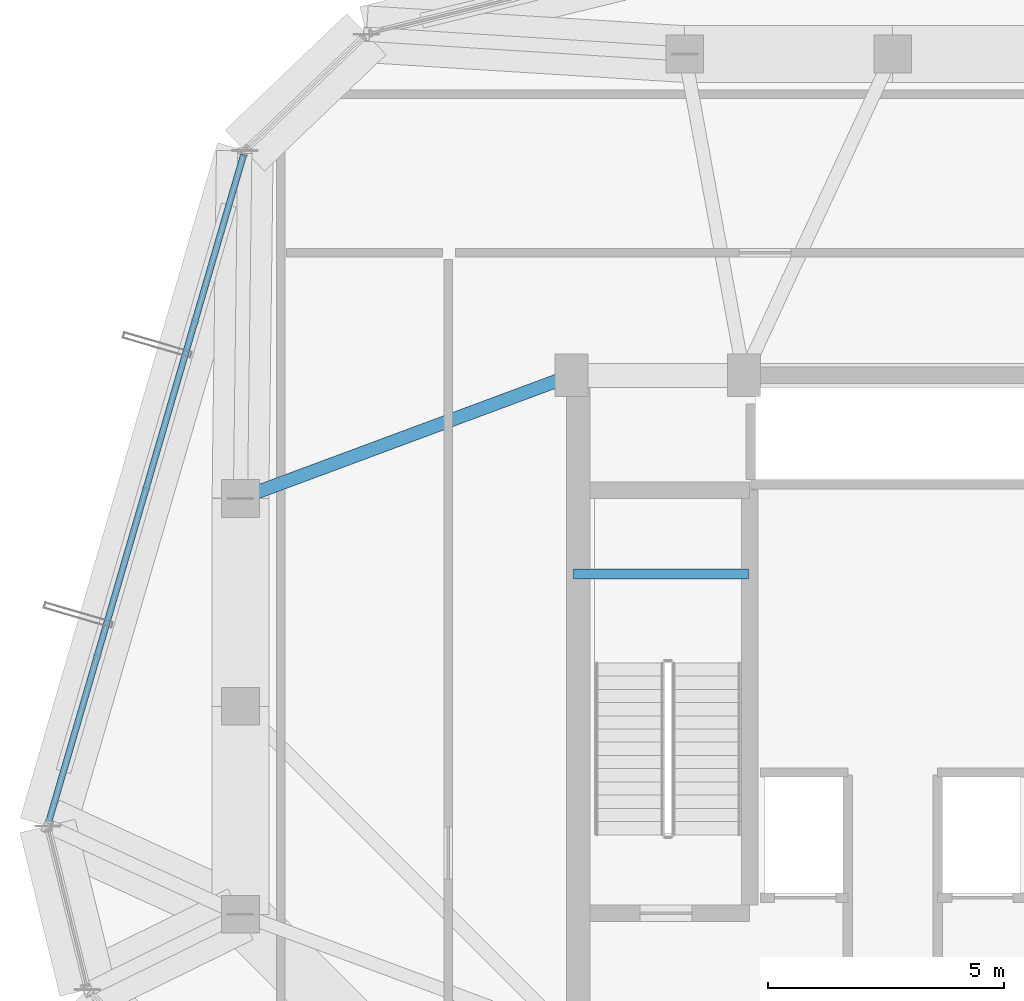
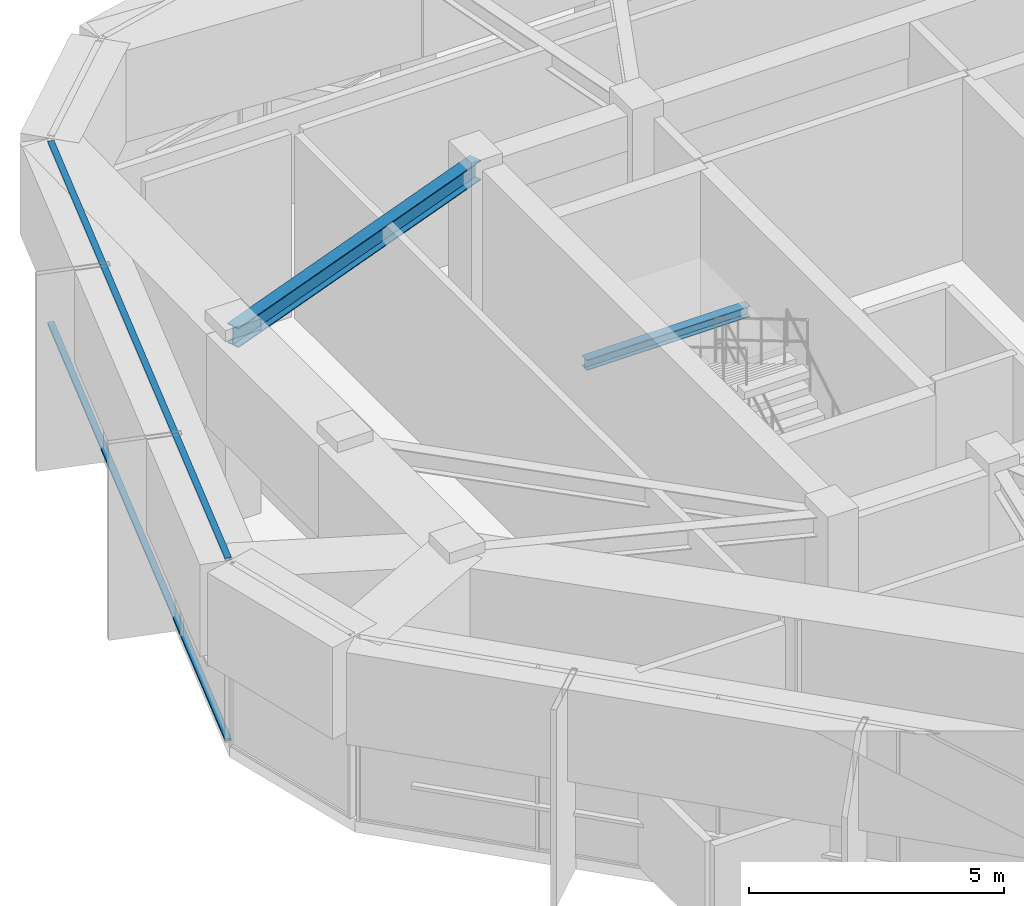
# One storey, part 17 of 39: 2 beams, 2 members, 1 element without a shape of its own.
"""IFC4 building model written with IfcOpenShell, lengths in metres."""

from ifc_helpers import new_model, si_unit, direction, frame, origin, origin_2d, place, context, subcontext, project, spatial, hollow_rectangle, i_section, extrude, source, transform, mapped, material, layer, layer_set, material_profile, profile_set, type_object, element, aggregate, save


model = new_model("IFC4")

# Units and contexts
model_context = context("Model", 3, precision=1e-05, world=origin(), true_north=direction((0.0, 1.0)))
body_context = subcontext(model_context, "Body", "Model", "MODEL_VIEW")
ifc_project = project(units=[si_unit("LENGTHUNIT", "METRE"), si_unit("AREAUNIT", "SQUARE_METRE"), si_unit("VOLUMEUNIT", "CUBIC_METRE"), si_unit("PLANEANGLEUNIT", "RADIAN"), si_unit("MASSUNIT", "GRAM", prefix="KILO")], contexts=[model_context])

# Site, building, storey
site_placement = place(None, origin())
site = spatial("IfcSite", under=ifc_project, at=site_placement, CompositionType="ELEMENT")
building_placement = place(site_placement, origin())
building = spatial("IfcBuilding", under=site, at=building_placement, Name="Veraguas Prism Commons", CompositionType="ELEMENT")
storey_placement = place(building_placement, frame((0.0, 0.0, 264.25)))
storey = spatial("IfcBuildingStorey", under=building, at=storey_placement, Name="L75", CompositionType="ELEMENT", Elevation=264.25)

# Beams
ifc_material_1 = material(Name="Steel ASTM A992 Grade 50", Category="steel")
ifc_material_profile_1 = material_profile(ifc_material_1, i_section(OverallWidth=0.202880859375, OverallDepth=0.251953125, WebThickness=0.008056640625, FlangeThickness=0.013427734375, at=origin_2d()), Name="W250X58")
ifc_profile_set_1 = profile_set([ifc_material_profile_1], Name="Steel ASTM A992 Grade 50")
beam_type_1 = type_object("IfcBeamType", Name="Structural Opening Lintel W250x58", PredefinedType="LINTEL", material=ifc_profile_set_1)
beam_1_placement = place(storey_placement, frame((17.25, 26.800048828125, 1.9990234375), z_axis=(1.0, 0.0, 0.0), x_axis=(0.0, 1.0, 0.0)))
element("IfcBeam", 1, at=beam_1_placement, inside=storey, type_object=beam_type_1, Name="Stair ST-01 Half-Landing Support Beam L75-1", PredefinedType="LINTEL", context=body_context, shape_type="SweptSolid", body=[
    extrude(i_section(OverallWidth=0.202880859375, OverallDepth=0.251953125, WebThickness=0.008056640625, FlangeThickness=0.013427734375, at=origin_2d()), origin(), (0.0, 0.0, 1.0), 3.699951171875),
])
ifc_material_profile_2 = material_profile(ifc_material_1, i_section(OverallWidth=0.282958984375, OverallDepth=0.471923828125, WebThickness=0.013671875, FlangeThickness=0.022216796875, at=origin_2d()), Name="W460X144")
ifc_profile_set_2 = profile_set([ifc_material_profile_2], Name="Steel ASTM A992 Grade 50")
beam_type_2 = type_object("IfcBeamType", Name="Zone 4 Radial Girder W460x144", PredefinedType="BEAM", material=ifc_profile_set_2)
beam_2_placement = place(storey_placement, frame((10.199951171875, 28.39990234375, 4.154052734375), z_axis=(0.937421003341, 0.348198021958, 0.0), x_axis=(-0.348198021958, 0.937421003341, 0.0)))
element("IfcBeam", 2, at=beam_2_placement, inside=storey, type_object=beam_type_2, Name="Crown Base Radial Girder L75-RD07", PredefinedType="BEAM", context=body_context, shape_type="SweptSolid", body=[
    extrude(i_section(OverallWidth=0.282958984375, OverallDepth=0.471923828125, WebThickness=0.013671875, FlangeThickness=0.022216796875, at=origin_2d()), origin(), (0.0, 0.0, 1.0), 7.46728515625),
])

# Curtain wall, members
ifc_material_2 = material(Name="Anodised aluminium EN AW-6063 T6", Category="aluminium")
ifc_layer = layer(ifc_material_2, 0.14990234375, Name="Unitised Flush Curtain Wall Zone 4", Category="aluminium")
ifc_layer_set = layer_set([ifc_layer], Name="Anodised aluminium EN AW-6063 T6")
curtain_wall_type = type_object("IfcCurtainWallType", Name="Unitised Flush Curtain Wall Zone 4", PredefinedType="NOTDEFINED", material=ifc_layer_set)
curtain_wall_placement = place(storey_placement, origin())
curtain_wall = element("IfcCurtainWall", 3, at=curtain_wall_placement, inside=storey, type_object=curtain_wall_type, Name="Tower Facade Curtain Wall L75-F3", PredefinedType="NOTDEFINED")
ifc_material_profile_3 = material_profile(ifc_material_2, hollow_rectangle(XDim=0.054931640625, YDim=0.135009765625, WallThickness=0.0029296875, at=origin_2d()), Name="AL55X135X3")
ifc_profile_set_3 = profile_set([ifc_material_profile_3], Name="Anodised aluminium EN AW-6063 T6")
member_type = type_object("IfcMemberType", Name="Curtain Wall Transom Standard AL 55x135x3", PredefinedType="USERDEFINED", material=ifc_profile_set_3)
shared_shape = source(origin(), body_context, "Body", "SweptSolid", [
    extrude(hollow_rectangle(XDim=0.054931640625, YDim=0.135009765625, WallThickness=0.0029296875, at=origin_2d()), origin(), (0.0, 0.0, 1.0), 14.706298828125),
])
member_1_placement = place(storey_placement, frame((10.2666015625, 35.671142578125, 0.027587890625), z_axis=(-0.280340395022, -0.95990065263, 0.0), x_axis=(0.0, 0.0, 1.0)))
member_1 = element("IfcMember", 4, at=member_1_placement, type_object=member_type, Name="CW-Z4 Transom 1", ObjectType="TRANSOM", PredefinedType="USERDEFINED", context=body_context, shape_type="MappedRepresentation", body=[
    mapped(shared_shape, transform((0.0, 0.0, 0.0), scale=1.0)),
])
member_2_placement = place(storey_placement, frame((10.2666015625, 35.671142578125, 4.362548828125), z_axis=(-0.280340395022, -0.95990065263, 0.0), x_axis=(0.0, 0.0, 1.0)))
member_2 = element("IfcMember", 5, at=member_2_placement, type_object=member_type, Name="CW-Z4 Transom 2", ObjectType="TRANSOM", PredefinedType="USERDEFINED", context=body_context, shape_type="MappedRepresentation", body=[
    mapped(shared_shape, transform((0.0, 0.0, 0.0), scale=1.0)),
])
aggregate(curtain_wall, [member_1, member_2])

save(model, "model.ifc")
